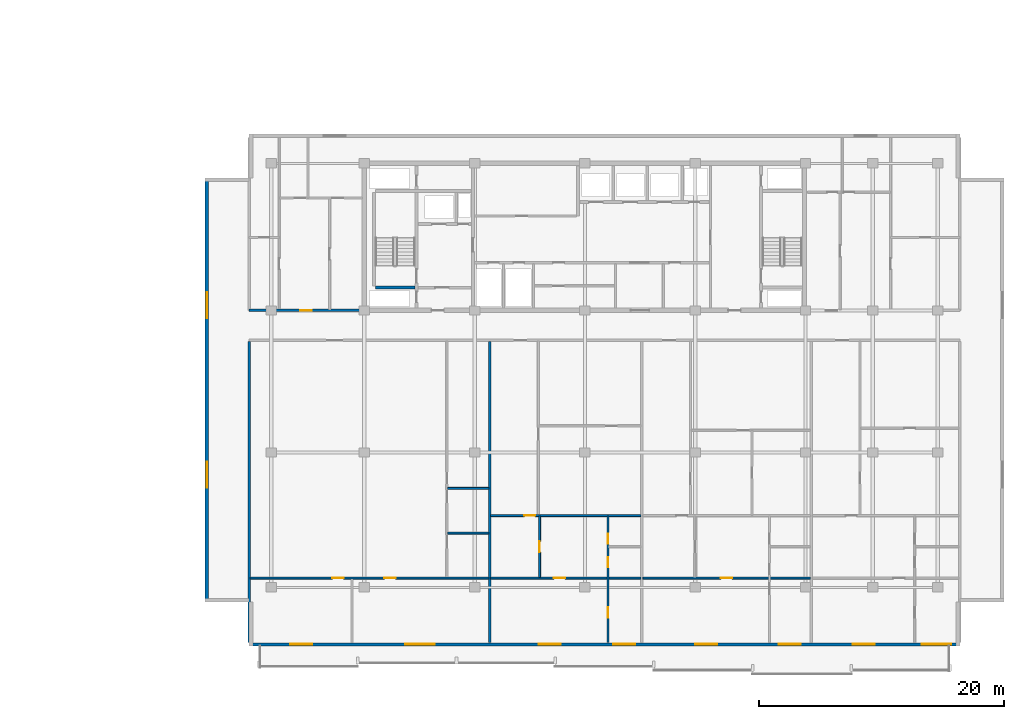
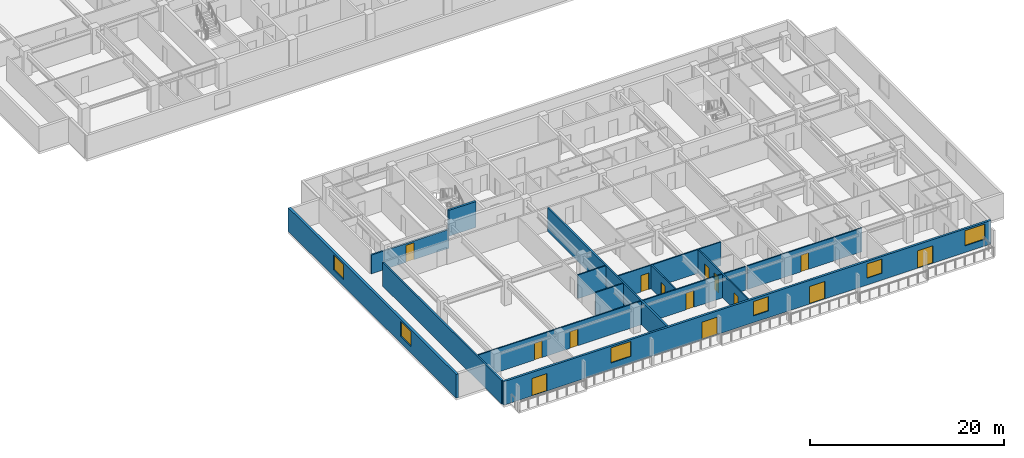
# One storey, part 4 of 22: 14 doors, 14 walls, 6 windows, 20 openings.
"""IFC4 building model written with IfcOpenShell, lengths in metres."""

from ifc_helpers import new_model, si_unit, direction, frame, frame_2d, origin, place, context, subcontext, project, spatial, rectangle, extrude, material, layer, layer_set, type_object, element, fill, save


model = new_model("IFC4")

# Units and contexts
model_context = context("Model", 3, precision=1e-05, world=origin(), true_north=direction((0.0, 1.0)))
body_context = subcontext(model_context, "Body", "Model", "MODEL_VIEW")
ifc_project = project(units=[si_unit("LENGTHUNIT", "METRE"), si_unit("AREAUNIT", "SQUARE_METRE"), si_unit("VOLUMEUNIT", "CUBIC_METRE"), si_unit("PLANEANGLEUNIT", "RADIAN"), si_unit("MASSUNIT", "GRAM", prefix="KILO")], contexts=[model_context])

# Site, building, storey
site_placement = place(None, origin())
site = spatial("IfcSite", under=ifc_project, at=site_placement, CompositionType="ELEMENT")
building_placement = place(site_placement, origin())
building = spatial("IfcBuilding", under=site, at=building_placement, Name="Korimba Cascade Residences", CompositionType="ELEMENT")
storey_placement = place(building_placement, frame((0.0, 0.0, 110.050048828125)))
storey = spatial("IfcBuildingStorey", under=building, at=storey_placement, Name="L31", CompositionType="ELEMENT", Elevation=110.050048828125)

# Wall, openings, doors, windows
ifc_material_1 = material(Name="Precast concrete C40/50", Category="concrete")
ifc_layer_1 = layer(ifc_material_1, 0.25)
ifc_layer_set_1 = layer_set([ifc_layer_1], Name="Precast concrete C40/50")
wall_type_1 = type_object("IfcWallType", Name="EW-LOG-250", PredefinedType="STANDARD", material=ifc_layer_set_1)
wall_1_placement = place(storey_placement, frame((72.699951171875, -8.85009765625, 0.0), z_axis=(0.0, 0.0, 1.0), x_axis=(1.0, 0.0, 0.0)))
wall_1 = element("IfcWall", 1, at=wall_1_placement, inside=storey, type_object=wall_type_1, Name="L31 T2 Perimeter Stone Wall E00", PredefinedType="STANDARD", context=body_context, shape_type="SweptSolid", body=[
    extrude(rectangle(XDim=58.0, YDim=0.25, at=frame_2d((29.0, 0.0))), origin(), (0.0, 0.0, 1.0), 2.969970703125),
])
opening_1_placement = place(wall_1_placement, frame((3.3583984375, 0.0, 0.0)))
opening_1 = element("IfcOpeningElement", 2, at=opening_1_placement, cuts=wall_1, Name="Opening D-LG1", PredefinedType="OPENING", context=body_context, shape_type="SweptSolid", body=[
    extrude(rectangle(XDim=1.800048828125, YDim=2.199951171875, at=frame_2d((0.89990234375, 1.10009765625))), frame((0.0, 0.135009765625, 0.0), z_axis=(0.0, -1.0, 0.0), x_axis=(1.0, 0.0, 0.0)), (0.0, 0.0, 1.0), 0.27001953125),
])
opening_2_placement = place(wall_1_placement, frame((12.7548828125, 0.0, 0.85009765625)))
opening_2 = element("IfcOpeningElement", 3, at=opening_2_placement, cuts=wall_1, Name="Opening W-01", PredefinedType="OPENING", context=body_context, shape_type="SweptSolid", body=[
    extrude(rectangle(XDim=2.39990234375, YDim=1.89990234375, at=frame_2d((1.199951171875, 0.949951171875))), frame((0.0, 0.135009765625, 0.0), z_axis=(0.0, -1.0, 0.0), x_axis=(1.0, 0.0, 0.0)), (0.0, 0.0, 1.0), 0.27001953125),
])
opening_3_placement = place(wall_1_placement, frame((23.61669921875, 0.0, 0.0)))
opening_3 = element("IfcOpeningElement", 4, at=opening_3_placement, cuts=wall_1, Name="Opening D-LG1", PredefinedType="OPENING", context=body_context, shape_type="SweptSolid", body=[
    extrude(rectangle(XDim=1.800048828125, YDim=2.199951171875, at=frame_2d((0.89990234375, 1.10009765625))), frame((0.0, 0.135009765625, 0.0), z_axis=(0.0, -1.0, 0.0), x_axis=(1.0, 0.0, 0.0)), (0.0, 0.0, 1.0), 0.27001953125),
])
opening_4_placement = place(wall_1_placement, frame((29.705078125, 0.0, 0.85009765625)))
opening_4 = element("IfcOpeningElement", 5, at=opening_4_placement, cuts=wall_1, Name="Opening W-02", PredefinedType="OPENING", context=body_context, shape_type="SweptSolid", body=[
    extrude(rectangle(XDim=1.800048828125, YDim=1.800048828125, at=frame_2d((0.89990234375, 0.89990234375))), frame((0.0, 0.135009765625, 0.0), z_axis=(0.0, -1.0, 0.0), x_axis=(1.0, 0.0, 0.0)), (0.0, 0.0, 1.0), 0.27001953125),
])
opening_5_placement = place(wall_1_placement, frame((36.41650390625, 0.0, 0.0)))
opening_5 = element("IfcOpeningElement", 6, at=opening_5_placement, cuts=wall_1, Name="Opening D-LG1", PredefinedType="OPENING", context=body_context, shape_type="SweptSolid", body=[
    extrude(rectangle(XDim=1.800048828125, YDim=2.199951171875, at=frame_2d((0.89990234375, 1.10009765625))), frame((0.0, 0.135009765625, 0.0), z_axis=(0.0, -1.0, 0.0), x_axis=(1.0, 0.0, 0.0)), (0.0, 0.0, 1.0), 0.27001953125),
])
opening_6_placement = place(wall_1_placement, frame((43.21337890625, 0.0, 0.85009765625)))
opening_6 = element("IfcOpeningElement", 7, at=opening_6_placement, cuts=wall_1, Name="Opening W-02", PredefinedType="OPENING", context=body_context, shape_type="SweptSolid", body=[
    extrude(rectangle(XDim=1.800048828125, YDim=1.800048828125, at=frame_2d((0.89990234375, 0.89990234375))), frame((0.0, 0.135009765625, 0.0), z_axis=(0.0, -1.0, 0.0), x_axis=(1.0, 0.0, 0.0)), (0.0, 0.0, 1.0), 0.27001953125),
])
opening_7_placement = place(wall_1_placement, frame((49.26171875, 0.0, 0.0)))
opening_7 = element("IfcOpeningElement", 8, at=opening_7_placement, cuts=wall_1, Name="Opening D-LG1", PredefinedType="OPENING", context=body_context, shape_type="SweptSolid", body=[
    extrude(rectangle(XDim=1.800048828125, YDim=2.199951171875, at=frame_2d((0.89990234375, 1.10009765625))), frame((0.0, 0.135009765625, 0.0), z_axis=(0.0, -1.0, 0.0), x_axis=(1.0, 0.0, 0.0)), (0.0, 0.0, 1.0), 0.27001953125),
])
opening_8_placement = place(wall_1_placement, frame((54.89990234375, 0.0, 0.85009765625)))
opening_8 = element("IfcOpeningElement", 9, at=opening_8_placement, cuts=wall_1, Name="Opening W-01", PredefinedType="OPENING", context=body_context, shape_type="SweptSolid", body=[
    extrude(rectangle(XDim=2.39990234375, YDim=1.89990234375, at=frame_2d((1.199951171875, 0.949951171875))), frame((0.0, 0.135009765625, 0.0), z_axis=(0.0, -1.0, 0.0), x_axis=(1.0, 0.0, 0.0)), (0.0, 0.0, 1.0), 0.27001953125),
])
ifc_material_2 = material(Name="Glazed Aluminium Loggia Sliding Door", Category="aluminium")
door_type_1 = type_object("IfcDoorType", Name="DR-EXT-LOG", OperationType="NOTDEFINED", PredefinedType="DOOR", material=ifc_material_2)
door_1_placement = place(opening_1_placement, origin())
door_1 = element("IfcDoor", 10, at=door_1_placement, inside=storey, type_object=door_type_1, Name="L31 T2 Loggia Sliding Door 3", OperationType="SLIDING_TO_RIGHT", OverallHeight=2.199951171875, OverallWidth=1.800048828125, PredefinedType="DOOR", context=body_context, shape_type="SweptSolid", body=[
    extrude(rectangle(XDim=1.800048828125, YDim=2.199951171875, at=frame_2d((0.89990234375, 1.10009765625))), frame((0.0, 0.02490234375, 0.0), z_axis=(0.0, -1.0, 0.0), x_axis=(1.0, 0.0, 0.0)), (0.0, 0.0, 1.0), 0.050048828125),
])
fill(opening_1, door_1)
door_2_placement = place(opening_3_placement, origin())
door_2 = element("IfcDoor", 11, at=door_2_placement, inside=storey, type_object=door_type_1, Name="L31 T2 Loggia Sliding Door 5", OperationType="SLIDING_TO_RIGHT", OverallHeight=2.199951171875, OverallWidth=1.800048828125, PredefinedType="DOOR", context=body_context, shape_type="SweptSolid", body=[
    extrude(rectangle(XDim=1.800048828125, YDim=2.199951171875, at=frame_2d((0.89990234375, 1.10009765625))), frame((0.0, 0.02490234375, 0.0), z_axis=(0.0, -1.0, 0.0), x_axis=(1.0, 0.0, 0.0)), (0.0, 0.0, 1.0), 0.050048828125),
])
fill(opening_3, door_2)
door_3_placement = place(opening_5_placement, origin())
door_3 = element("IfcDoor", 12, at=door_3_placement, inside=storey, type_object=door_type_1, Name="L31 T2 Loggia Sliding Door 7", OperationType="SLIDING_TO_RIGHT", OverallHeight=2.199951171875, OverallWidth=1.800048828125, PredefinedType="DOOR", context=body_context, shape_type="SweptSolid", body=[
    extrude(rectangle(XDim=1.800048828125, YDim=2.199951171875, at=frame_2d((0.89990234375, 1.10009765625))), frame((0.0, 0.02490234375, 0.0), z_axis=(0.0, -1.0, 0.0), x_axis=(1.0, 0.0, 0.0)), (0.0, 0.0, 1.0), 0.050048828125),
])
fill(opening_5, door_3)
door_4_placement = place(opening_7_placement, origin())
door_4 = element("IfcDoor", 13, at=door_4_placement, inside=storey, type_object=door_type_1, Name="L31 T2 Loggia Sliding Door 9", OperationType="SLIDING_TO_RIGHT", OverallHeight=2.199951171875, OverallWidth=1.800048828125, PredefinedType="DOOR", context=body_context, shape_type="SweptSolid", body=[
    extrude(rectangle(XDim=1.800048828125, YDim=2.199951171875, at=frame_2d((0.89990234375, 1.10009765625))), frame((0.0, 0.02490234375, 0.0), z_axis=(0.0, -1.0, 0.0), x_axis=(1.0, 0.0, 0.0)), (0.0, 0.0, 1.0), 0.050048828125),
])
fill(opening_7, door_4)
ifc_material_3 = material(Name="Double-Glazed Aluminium Window", Category="aluminium")
window_type_1 = type_object("IfcWindowType", Name="WIN-BED-1800", PartitioningType="SINGLE_PANEL", PredefinedType="WINDOW", material=ifc_material_3)
window_1_placement = place(opening_4_placement, origin())
window_1 = element("IfcWindow", 14, at=window_1_placement, inside=storey, type_object=window_type_1, Name="L31 T2 South Facade Window 6", OverallHeight=1.800048828125, OverallWidth=1.800048828125, PartitioningType="SINGLE_PANEL", PredefinedType="WINDOW", context=body_context, shape_type="SweptSolid", body=[
    extrude(rectangle(XDim=1.800048828125, YDim=1.800048828125, at=frame_2d((0.89990234375, 0.89990234375))), frame((0.0, 0.030029296875, 0.0), z_axis=(0.0, -1.0, 0.0), x_axis=(1.0, 0.0, 0.0)), (0.0, 0.0, 1.0), 0.06005859375),
])
fill(opening_4, window_1)
window_2_placement = place(opening_6_placement, origin())
window_2 = element("IfcWindow", 15, at=window_2_placement, inside=storey, type_object=window_type_1, Name="L31 T2 South Facade Window 8", OverallHeight=1.800048828125, OverallWidth=1.800048828125, PartitioningType="SINGLE_PANEL", PredefinedType="WINDOW", context=body_context, shape_type="SweptSolid", body=[
    extrude(rectangle(XDim=1.800048828125, YDim=1.800048828125, at=frame_2d((0.89990234375, 0.89990234375))), frame((0.0, 0.030029296875, 0.0), z_axis=(0.0, -1.0, 0.0), x_axis=(1.0, 0.0, 0.0)), (0.0, 0.0, 1.0), 0.06005859375),
])
fill(opening_6, window_2)
window_type_2 = type_object("IfcWindowType", Name="WIN-RES-2400", PartitioningType="DOUBLE_PANEL_VERTICAL", PredefinedType="WINDOW", material=ifc_material_3)
window_3_placement = place(opening_2_placement, origin())
window_3 = element("IfcWindow", 16, at=window_3_placement, inside=storey, type_object=window_type_2, Name="L31 T2 South Facade Window 4", OverallHeight=1.89990234375, OverallWidth=2.39990234375, PartitioningType="DOUBLE_PANEL_VERTICAL", PredefinedType="WINDOW", context=body_context, shape_type="SweptSolid", body=[
    extrude(rectangle(XDim=2.39990234375, YDim=1.89990234375, at=frame_2d((1.199951171875, 0.949951171875))), frame((0.0, 0.030029296875, 0.0), z_axis=(0.0, -1.0, 0.0), x_axis=(1.0, 0.0, 0.0)), (0.0, 0.0, 1.0), 0.06005859375),
])
fill(opening_2, window_3)
window_4_placement = place(opening_8_placement, origin())
window_4 = element("IfcWindow", 17, at=window_4_placement, inside=storey, type_object=window_type_2, Name="L31 T2 South Facade Window 10", OverallHeight=1.89990234375, OverallWidth=2.39990234375, PartitioningType="DOUBLE_PANEL_VERTICAL", PredefinedType="WINDOW", context=body_context, shape_type="SweptSolid", body=[
    extrude(rectangle(XDim=2.39990234375, YDim=1.89990234375, at=frame_2d((1.199951171875, 0.949951171875))), frame((0.0, 0.030029296875, 0.0), z_axis=(0.0, -1.0, 0.0), x_axis=(1.0, 0.0, 0.0)), (0.0, 0.0, 1.0), 0.06005859375),
])
fill(opening_8, window_4)

# Wall, openings, windows
ifc_layer_2 = layer(ifc_material_1, 0.300048828125)
ifc_layer_set_2 = layer_set([ifc_layer_2], Name="Precast concrete C40/50")
wall_type_2 = type_object("IfcWallType", Name="EW-STONE-300", PredefinedType="STANDARD", material=ifc_layer_set_2)
wall_2_placement = place(storey_placement, frame((69.25, 29.199951171875, 0.0), z_axis=(0.0, 0.0, 1.0), x_axis=(0.0, -1.0, 0.0)))
wall_2 = element("IfcWall", 18, at=wall_2_placement, inside=storey, type_object=wall_type_2, Name="L31 T2 Perimeter Stone Wall E09", PredefinedType="STANDARD", context=body_context, shape_type="SweptSolid", body=[
    extrude(rectangle(XDim=34.599853515625, YDim=0.300048828125, at=frame_2d((17.2998046875, 0.0))), origin(), (0.0, 0.0, 1.0), 2.969970703125),
])
opening_9_placement = place(wall_2_placement, frame((9.330078125, 0.0, 0.85009765625)))
opening_9 = element("IfcOpeningElement", 19, at=opening_9_placement, cuts=wall_2, Name="Opening W-03", PredefinedType="OPENING", context=body_context, shape_type="SweptSolid", body=[
    extrude(rectangle(XDim=2.10009765625, YDim=1.85009765625, at=frame_2d((1.050048828125, 0.925048828125))), frame((0.0, 0.16015625, 0.0), z_axis=(0.0, -1.0, 0.0), x_axis=(1.0, 0.0, 0.0)), (0.0, 0.0, 1.0), 0.320068359375),
])
opening_10_placement = place(wall_2_placement, frame((23.169921875, 0.0, 0.85009765625)))
opening_10 = element("IfcOpeningElement", 20, at=opening_10_placement, cuts=wall_2, Name="Opening W-03", PredefinedType="OPENING", context=body_context, shape_type="SweptSolid", body=[
    extrude(rectangle(XDim=2.10009765625, YDim=1.85009765625, at=frame_2d((1.050048828125, 0.925048828125))), frame((0.0, 0.16015625, 0.0), z_axis=(0.0, -1.0, 0.0), x_axis=(1.0, 0.0, 0.0)), (0.0, 0.0, 1.0), 0.320068359375),
])
window_type_3 = type_object("IfcWindowType", Name="WIN-CRN-2100", PartitioningType="DOUBLE_PANEL_HORIZONTAL", PredefinedType="WINDOW", material=ifc_material_3)
window_5_placement = place(opening_9_placement, origin())
window_5 = element("IfcWindow", 21, at=window_5_placement, inside=storey, type_object=window_type_3, Name="L31 T2 End View Window 9.1", OverallHeight=1.85009765625, OverallWidth=2.10009765625, PartitioningType="DOUBLE_PANEL_HORIZONTAL", PredefinedType="WINDOW", context=body_context, shape_type="SweptSolid", body=[
    extrude(rectangle(XDim=2.10009765625, YDim=1.85009765625, at=frame_2d((1.050048828125, 0.925048828125))), frame((0.0, 0.030029296875, 0.0), z_axis=(0.0, -1.0, 0.0), x_axis=(1.0, 0.0, 0.0)), (0.0, 0.0, 1.0), 0.06005859375),
])
fill(opening_9, window_5)
window_6_placement = place(opening_10_placement, origin())
window_6 = element("IfcWindow", 22, at=window_6_placement, inside=storey, type_object=window_type_3, Name="L31 T2 End View Window 9.2", OverallHeight=1.85009765625, OverallWidth=2.10009765625, PartitioningType="DOUBLE_PANEL_HORIZONTAL", PredefinedType="WINDOW", context=body_context, shape_type="SweptSolid", body=[
    extrude(rectangle(XDim=2.10009765625, YDim=1.85009765625, at=frame_2d((1.050048828125, 0.925048828125))), frame((0.0, 0.030029296875, 0.0), z_axis=(0.0, -1.0, 0.0), x_axis=(1.0, 0.0, 0.0)), (0.0, 0.0, 1.0), 0.06005859375),
])
fill(opening_10, window_6)

# Wall, opening, door
ifc_layer_3 = layer(ifc_material_1, 0.199951171875)
ifc_layer_set_3 = layer_set([ifc_layer_3], Name="Precast concrete C40/50")
wall_type_3 = type_object("IfcWallType", Name="WAL-IT-200", PredefinedType="PARTITIONING", material=ifc_layer_set_3)
wall_3_placement = place(storey_placement, frame((72.699951171875, 18.39990234375, 0.0), z_axis=(0.0, 0.0, 1.0), x_axis=(1.0, 0.0, 0.0)))
wall_3 = element("IfcWall", 23, at=wall_3_placement, inside=storey, type_object=wall_type_3, Name="L31 Partition Wall WAL-L31-T2-FW-S", PredefinedType="PARTITIONING", context=body_context, shape_type="SweptSolid", body=[
    extrude(rectangle(XDim=9.25, YDim=0.199951171875, at=frame_2d((4.625, 0.0))), origin(), (0.0, 0.0, 1.0), 2.357666015625),
])
opening_11_placement = place(wall_3_placement, frame((4.14990234375, 0.0, 0.0)))
opening_11 = element("IfcOpeningElement", 24, at=opening_11_placement, cuts=wall_3, Name="Opening D-UN1", PredefinedType="OPENING", context=body_context, shape_type="SweptSolid", body=[
    extrude(rectangle(XDim=0.949951171875, YDim=2.14990234375, at=frame_2d((0.47509765625, 1.074951171875))), frame((0.0, 0.10986328125, 0.0), z_axis=(0.0, -1.0, 0.0), x_axis=(1.0, 0.0, 0.0)), (0.0, 0.0, 1.0), 0.219970703125),
])
ifc_material_4 = material(Name="Fire-Rated Hardwood Apartment Entrance Door", Category="wood")
door_type_2 = type_object("IfcDoorType", Name="DR-FD60-950", OperationType="NOTDEFINED", PredefinedType="DOOR", material=ifc_material_4)
door_5_placement = place(opening_11_placement, origin())
door_5 = element("IfcDoor", 25, at=door_5_placement, inside=storey, type_object=door_type_2, Name="L31-T2-FW Entrance Door", OperationType="SINGLE_SWING_RIGHT", OverallHeight=2.14990234375, OverallWidth=0.949951171875, PredefinedType="DOOR", context=body_context, shape_type="SweptSolid", body=[
    extrude(rectangle(XDim=0.949951171875, YDim=2.14990234375, at=frame_2d((0.47509765625, 1.074951171875))), frame((0.0, 0.02490234375, 0.0), z_axis=(0.0, -1.0, 0.0), x_axis=(1.0, 0.0, 0.0)), (0.0, 0.0, 1.0), 0.050048828125),
])
fill(opening_11, door_5)

# Walls
for number, where, z_axis, x_axis, name in (
    (26, (72.699951171875, -8.699951171875, 0.0), (0.0, 0.0, 1.0), (0.0, 1.0, 0.0), "L31 Partition Wall WAL-L31-T2-BNDWL"),
    (27, (92.333251953125, -8.699951171875, 0.0), (0.0, 0.0, 1.0), (0.0, 1.0, 0.0), "L31 Partition Wall WAL-L31-T2-DEM-1"),
):
    element("IfcWall", number, at=place(storey_placement, frame(where, z_axis=z_axis, x_axis=x_axis)), inside=storey, type_object=wall_type_3, Name=name, PredefinedType="PARTITIONING", context=body_context, shape_type="SweptSolid", body=[
        extrude(rectangle(XDim=24.570068359375, YDim=0.199951171875, at=frame_2d((12.28515625, 0.0))), origin(), (0.0, 0.0, 1.0), 2.969970703125),
    ])
ifc_material_5 = material(Name="Insulated Acoustic Stud Partition", Category="gypsum")
ifc_layer_4 = layer(ifc_material_5, 0.14990234375)
ifc_layer_set_4 = layer_set([ifc_layer_4], Name="Insulated Acoustic Stud Partition")
wall_type_4 = type_object("IfcWallType", Name="WAL-PART-150", PredefinedType="PARTITIONING", material=ifc_layer_set_4)
for number, where, z_axis, x_axis, name in (
    (28, (88.893310546875, 0.219970703125, 0.0), (0.0, 0.0, 1.0), (1.0, 0.0, 0.0), "L31 Partition Wall WAL-L31-T2-U01-WCH"),
    (29, (88.893310546875, 3.8701171875, 0.0), (0.0, 0.0, 1.0), (1.0, 0.0, 0.0), "L31 Partition Wall WAL-L31-T2-U01-WCH2"),
):
    element("IfcWall", number, at=place(storey_placement, frame(where, z_axis=z_axis, x_axis=x_axis)), inside=storey, type_object=wall_type_4, Name=name, PredefinedType="PARTITIONING", context=body_context, shape_type="SweptSolid", body=[
        extrude(rectangle(XDim=3.360107421875, YDim=0.14990234375, at=frame_2d((1.68017578125, 0.0))), origin(), (0.0, 0.0, 1.0), 2.969970703125),
    ])

# Wall, openings, doors
wall_4_placement = place(storey_placement, frame((72.780029296875, -3.449951171875, 0.0), z_axis=(0.0, 0.0, 1.0), x_axis=(1.0, 0.0, 0.0)))
wall_4 = element("IfcWall", 30, at=wall_4_placement, inside=storey, type_object=wall_type_4, Name="L31 Partition Wall WAL-L31-T2-U01-HZ", PredefinedType="PARTITIONING", context=body_context, shape_type="SweptSolid", body=[
    extrude(rectangle(XDim=19.473388671875, YDim=0.14990234375, at=frame_2d((9.73681640625, 0.0))), origin(), (0.0, 0.0, 1.0), 2.969970703125),
])
opening_12_placement = place(wall_4_placement, frame((6.714111328125, 0.0, 0.0)))
opening_12 = element("IfcOpeningElement", 31, at=opening_12_placement, cuts=wall_4, Name="Opening D-IN0", PredefinedType="OPENING", context=body_context, shape_type="SweptSolid", body=[
    extrude(rectangle(XDim=0.93994140625, YDim=2.10009765625, at=frame_2d((0.469970703125, 1.050048828125))), frame((0.0, 0.0849609375, 0.0), z_axis=(0.0, -1.0, 0.0), x_axis=(1.0, 0.0, 0.0)), (0.0, 0.0, 1.0), 0.169921875),
])
opening_13_placement = place(wall_4_placement, frame((10.959228515625, 0.0, 0.0)))
opening_13 = element("IfcOpeningElement", 32, at=opening_13_placement, cuts=wall_4, Name="Opening D-IN0", PredefinedType="OPENING", context=body_context, shape_type="SweptSolid", body=[
    extrude(rectangle(XDim=0.93994140625, YDim=2.10009765625, at=frame_2d((0.469970703125, 1.050048828125))), frame((0.0, 0.0849609375, 0.0), z_axis=(0.0, -1.0, 0.0), x_axis=(1.0, 0.0, 0.0)), (0.0, 0.0, 1.0), 0.169921875),
])
ifc_material_6 = material(Name="Acoustic Timber Living Archway Door", Category="wood")
door_type_3 = type_object("IfcDoorType", Name="DR-INT-950", OperationType="NOTDEFINED", PredefinedType="DOOR", material=ifc_material_6)
door_6_placement = place(opening_12_placement, origin())
door_6 = element("IfcDoor", 33, at=door_6_placement, inside=storey, type_object=door_type_3, Name="L31-T2-U01 Fitness Pilates Gym Door", OperationType="SINGLE_SWING_RIGHT", OverallHeight=2.10009765625, OverallWidth=0.93994140625, PredefinedType="DOOR", context=body_context, shape_type="SweptSolid", body=[
    extrude(rectangle(XDim=0.93994140625, YDim=2.10009765625, at=frame_2d((0.469970703125, 1.050048828125))), frame((0.0, 0.02490234375, 0.0), z_axis=(0.0, -1.0, 0.0), x_axis=(1.0, 0.0, 0.0)), (0.0, 0.0, 1.0), 0.050048828125),
])
fill(opening_12, door_6)
door_7_placement = place(opening_13_placement, origin())
door_7 = element("IfcDoor", 34, at=door_7_placement, inside=storey, type_object=door_type_3, Name="L31-T2-U01 Private Screening Cinema Door", OperationType="SINGLE_SWING_LEFT", OverallHeight=2.10009765625, OverallWidth=0.93994140625, PredefinedType="DOOR", context=body_context, shape_type="SweptSolid", body=[
    extrude(rectangle(XDim=0.93994140625, YDim=2.10009765625, at=frame_2d((0.469970703125, 1.050048828125))), frame((0.0, 0.02490234375, 0.0), z_axis=(0.0, -1.0, 0.0), x_axis=(1.0, 0.0, 0.0)), (0.0, 0.0, 1.0), 0.050048828125),
])
fill(opening_13, door_7)

# Wall, opening, door
wall_5_placement = place(storey_placement, frame((96.4033203125, -3.389892578125, 0.0), z_axis=(0.0, 0.0, 1.0), x_axis=(0.0, 1.0, 0.0)))
wall_5 = element("IfcWall", 35, at=wall_5_placement, inside=storey, type_object=wall_type_4, Name="L31 Partition Wall WAL-L31-T2-U02-VDIN", PredefinedType="PARTITIONING", context=body_context, shape_type="SweptSolid", body=[
    extrude(rectangle(XDim=5.0, YDim=0.14990234375, at=frame_2d((2.5, 0.0))), origin(), (0.0, 0.0, 1.0), 2.969970703125),
])
opening_14_placement = place(wall_5_placement, frame((2.06005859375, 0.0, 0.0)))
opening_14 = element("IfcOpeningElement", 36, at=opening_14_placement, cuts=wall_5, Name="Opening D-IN2", PredefinedType="OPENING", context=body_context, shape_type="SweptSolid", body=[
    extrude(rectangle(XDim=0.8798828125, YDim=2.06005859375, at=frame_2d((0.43994140625, 1.030029296875))), frame((0.0, 0.0849609375, 0.0), z_axis=(0.0, -1.0, 0.0), x_axis=(1.0, 0.0, 0.0)), (0.0, 0.0, 1.0), 0.169921875),
])
ifc_material_7 = material(Name="Acoustic Timber Bedroom Door", Category="wood")
door_type_4 = type_object("IfcDoorType", Name="DR-INT-880", OperationType="NOTDEFINED", PredefinedType="DOOR", material=ifc_material_7)
door_8_placement = place(opening_14_placement, origin())
door_8 = element("IfcDoor", 37, at=door_8_placement, inside=storey, type_object=door_type_4, Name="L31-T2-U02 Dining Room Door", OperationType="SINGLE_SWING_RIGHT", OverallHeight=2.06005859375, OverallWidth=0.8798828125, PredefinedType="DOOR", context=body_context, shape_type="SweptSolid", body=[
    extrude(rectangle(XDim=0.8798828125, YDim=2.06005859375, at=frame_2d((0.43994140625, 1.030029296875))), frame((0.0, 0.02490234375, 0.0), z_axis=(0.0, -1.0, 0.0), x_axis=(1.0, 0.0, 0.0)), (0.0, 0.0, 1.0), 0.050048828125),
])
fill(opening_14, door_8)

# Wall, openings, doors
wall_6_placement = place(storey_placement, frame((101.97998046875, -8.699951171875, 0.0), z_axis=(0.0, 0.0, 1.0), x_axis=(0.0, 1.0, 0.0)))
wall_6 = element("IfcWall", 38, at=wall_6_placement, inside=storey, type_object=wall_type_4, Name="L31 Partition Wall WAL-L31-T2-U02-V1", PredefinedType="PARTITIONING", context=body_context, shape_type="SweptSolid", body=[
    extrude(rectangle(XDim=10.31005859375, YDim=0.14990234375, at=frame_2d((5.155029296875, 0.0))), origin(), (0.0, 0.0, 1.0), 2.969970703125),
])
opening_15_placement = place(wall_6_placement, frame((6.120361328125, 0.0, 0.0)))
opening_15 = element("IfcOpeningElement", 39, at=opening_15_placement, cuts=wall_6, Name="Opening D-BT1", PredefinedType="OPENING", context=body_context, shape_type="SweptSolid", body=[
    extrude(rectangle(XDim=0.840087890625, YDim=2.0400390625, at=frame_2d((0.419921875, 1.02001953125))), frame((0.0, 0.0849609375, 0.0), z_axis=(0.0, -1.0, 0.0), x_axis=(1.0, 0.0, 0.0)), (0.0, 0.0, 1.0), 0.169921875),
])
opening_16_placement = place(wall_6_placement, frame((8.03955078125, 0.0, 0.0)))
opening_16 = element("IfcOpeningElement", 40, at=opening_16_placement, cuts=wall_6, Name="Opening D-BT1", PredefinedType="OPENING", context=body_context, shape_type="SweptSolid", body=[
    extrude(rectangle(XDim=0.840087890625, YDim=2.0400390625, at=frame_2d((0.419921875, 1.02001953125))), frame((0.0, 0.0849609375, 0.0), z_axis=(0.0, -1.0, 0.0), x_axis=(1.0, 0.0, 0.0)), (0.0, 0.0, 1.0), 0.169921875),
])
opening_17_placement = place(wall_6_placement, frame((2.001220703125, 0.0, 0.0)))
opening_17 = element("IfcOpeningElement", 41, at=opening_17_placement, cuts=wall_6, Name="Opening D-IN2", PredefinedType="OPENING", context=body_context, shape_type="SweptSolid", body=[
    extrude(rectangle(XDim=0.8798828125, YDim=2.06005859375, at=frame_2d((0.43994140625, 1.030029296875))), frame((0.0, 0.0849609375, 0.0), z_axis=(0.0, -1.0, 0.0), x_axis=(1.0, 0.0, 0.0)), (0.0, 0.0, 1.0), 0.169921875),
])
ifc_material_8 = material(Name="Moisture-Resistant Bathroom Timber Door", Category="wood")
door_type_5 = type_object("IfcDoorType", Name="DR-INT-850", OperationType="NOTDEFINED", PredefinedType="DOOR", material=ifc_material_8)
door_9_placement = place(opening_15_placement, origin())
door_9 = element("IfcDoor", 42, at=door_9_placement, inside=storey, type_object=door_type_5, Name="L31-T2-U02 Bathroom Door", OperationType="SINGLE_SWING_LEFT", OverallHeight=2.0400390625, OverallWidth=0.840087890625, PredefinedType="DOOR", context=body_context, shape_type="SweptSolid", body=[
    extrude(rectangle(XDim=0.840087890625, YDim=2.0400390625, at=frame_2d((0.419921875, 1.02001953125))), frame((0.0, 0.02490234375, 0.0), z_axis=(0.0, -1.0, 0.0), x_axis=(1.0, 0.0, 0.0)), (0.0, 0.0, 1.0), 0.050048828125),
])
fill(opening_15, door_9)
door_10_placement = place(opening_16_placement, origin())
door_10 = element("IfcDoor", 43, at=door_10_placement, inside=storey, type_object=door_type_5, Name="L31-T2-U02 Laundry Door", OperationType="SINGLE_SWING_RIGHT", OverallHeight=2.0400390625, OverallWidth=0.840087890625, PredefinedType="DOOR", context=body_context, shape_type="SweptSolid", body=[
    extrude(rectangle(XDim=0.840087890625, YDim=2.0400390625, at=frame_2d((0.419921875, 1.02001953125))), frame((0.0, 0.02490234375, 0.0), z_axis=(0.0, -1.0, 0.0), x_axis=(1.0, 0.0, 0.0)), (0.0, 0.0, 1.0), 0.050048828125),
])
fill(opening_16, door_10)
door_11_placement = place(opening_17_placement, origin())
door_11 = element("IfcDoor", 44, at=door_11_placement, inside=storey, type_object=door_type_4, Name="L31-T2-U02 Bedroom 1 Door", OperationType="SINGLE_SWING_LEFT", OverallHeight=2.06005859375, OverallWidth=0.8798828125, PredefinedType="DOOR", context=body_context, shape_type="SweptSolid", body=[
    extrude(rectangle(XDim=0.8798828125, YDim=2.06005859375, at=frame_2d((0.43994140625, 1.030029296875))), frame((0.0, 0.02490234375, 0.0), z_axis=(0.0, -1.0, 0.0), x_axis=(1.0, 0.0, 0.0)), (0.0, 0.0, 1.0), 0.050048828125),
])
fill(opening_17, door_11)

# Wall, opening, door
wall_7_placement = place(storey_placement, frame((92.413330078125, 1.64990234375, 0.0), z_axis=(0.0, 0.0, 1.0), x_axis=(1.0, 0.0, 0.0)))
wall_7 = element("IfcWall", 45, at=wall_7_placement, inside=storey, type_object=wall_type_4, Name="L31 Partition Wall WAL-L31-T2-U02-MW", PredefinedType="PARTITIONING", context=body_context, shape_type="SweptSolid", body=[
    extrude(rectangle(XDim=12.256591796875, YDim=0.14990234375, at=frame_2d((6.12841796875, 0.0))), origin(), (0.0, 0.0, 1.0), 2.969970703125),
])
opening_18_placement = place(wall_7_placement, frame((2.719970703125, 0.0, 0.0)))
opening_18 = element("IfcOpeningElement", 46, at=opening_18_placement, cuts=wall_7, Name="Opening D-IN1", PredefinedType="OPENING", context=body_context, shape_type="SweptSolid", body=[
    extrude(rectangle(XDim=0.919921875, YDim=2.080078125, at=frame_2d((0.4599609375, 1.0400390625))), frame((0.0, 0.0849609375, 0.0), z_axis=(0.0, -1.0, 0.0), x_axis=(1.0, 0.0, 0.0)), (0.0, 0.0, 1.0), 0.169921875),
])
ifc_material_9 = material(Name="Acoustic Timber Living Door", Category="wood")
door_type_6 = type_object("IfcDoorType", Name="DR-INT-920", OperationType="NOTDEFINED", PredefinedType="DOOR", material=ifc_material_9)
door_12_placement = place(opening_18_placement, origin())
door_12 = element("IfcDoor", 47, at=door_12_placement, inside=storey, type_object=door_type_6, Name="L31-T2-U02 Kitchen Archway Door", OperationType="SINGLE_SWING_RIGHT", OverallHeight=2.080078125, OverallWidth=0.919921875, PredefinedType="DOOR", context=body_context, shape_type="SweptSolid", body=[
    extrude(rectangle(XDim=0.919921875, YDim=2.080078125, at=frame_2d((0.4599609375, 1.0400390625))), frame((0.0, 0.02490234375, 0.0), z_axis=(0.0, -1.0, 0.0), x_axis=(1.0, 0.0, 0.0)), (0.0, 0.0, 1.0), 0.050048828125),
])
fill(opening_18, door_12)

wall_8_placement = place(storey_placement, frame((92.413330078125, -3.449951171875, 0.0), z_axis=(0.0, 0.0, 1.0), x_axis=(1.0, 0.0, 0.0)))
wall_8 = element("IfcWall", 48, at=wall_8_placement, inside=storey, type_object=wall_type_4, Name="L31 Partition Wall WAL-L31-T2-U02-HZ", PredefinedType="PARTITIONING", context=body_context, shape_type="SweptSolid", body=[
    extrude(rectangle(XDim=12.256591796875, YDim=0.14990234375, at=frame_2d((6.12841796875, 0.0))), origin(), (0.0, 0.0, 1.0), 2.969970703125),
])
opening_19_placement = place(wall_8_placement, frame((5.1259765625, 0.0, 0.0)))
opening_19 = element("IfcOpeningElement", 49, at=opening_19_placement, cuts=wall_8, Name="Opening D-IN0", PredefinedType="OPENING", context=body_context, shape_type="SweptSolid", body=[
    extrude(rectangle(XDim=0.93994140625, YDim=2.10009765625, at=frame_2d((0.469970703125, 1.050048828125))), frame((0.0, 0.0849609375, 0.0), z_axis=(0.0, -1.0, 0.0), x_axis=(1.0, 0.0, 0.0)), (0.0, 0.0, 1.0), 0.169921875),
])
door_13_placement = place(opening_19_placement, origin())
door_13 = element("IfcDoor", 50, at=door_13_placement, inside=storey, type_object=door_type_3, Name="L31-T2-U02 Living Archway Door", OperationType="SINGLE_SWING_LEFT", OverallHeight=2.10009765625, OverallWidth=0.93994140625, PredefinedType="DOOR", context=body_context, shape_type="SweptSolid", body=[
    extrude(rectangle(XDim=0.93994140625, YDim=2.10009765625, at=frame_2d((0.469970703125, 1.050048828125))), frame((0.0, 0.02490234375, 0.0), z_axis=(0.0, -1.0, 0.0), x_axis=(1.0, 0.0, 0.0)), (0.0, 0.0, 1.0), 0.050048828125),
])
fill(opening_19, door_13)

wall_9_placement = place(storey_placement, frame((104.830078125, -3.449951171875, 0.0), z_axis=(0.0, 0.0, 1.0), x_axis=(1.0, 0.0, 0.0)))
wall_9 = element("IfcWall", 51, at=wall_9_placement, inside=storey, type_object=wall_type_4, Name="L31 Partition Wall WAL-L31-T2-U03-HZ", PredefinedType="PARTITIONING", context=body_context, shape_type="SweptSolid", body=[
    extrude(rectangle(XDim=13.67333984375, YDim=0.14990234375, at=frame_2d((6.836669921875, 0.0))), origin(), (0.0, 0.0, 1.0), 2.969970703125),
])
opening_20_placement = place(wall_9_placement, frame((6.36669921875, 0.0, 0.0)))
opening_20 = element("IfcOpeningElement", 52, at=opening_20_placement, cuts=wall_9, Name="Opening D-IN0", PredefinedType="OPENING", context=body_context, shape_type="SweptSolid", body=[
    extrude(rectangle(XDim=0.93994140625, YDim=2.10009765625, at=frame_2d((0.469970703125, 1.050048828125))), frame((0.0, 0.0849609375, 0.0), z_axis=(0.0, -1.0, 0.0), x_axis=(1.0, 0.0, 0.0)), (0.0, 0.0, 1.0), 0.169921875),
])
door_14_placement = place(opening_20_placement, origin())
door_14 = element("IfcDoor", 53, at=door_14_placement, inside=storey, type_object=door_type_3, Name="L31-T2-U03 Living Archway Door", OperationType="SINGLE_SWING_RIGHT", OverallHeight=2.10009765625, OverallWidth=0.93994140625, PredefinedType="DOOR", context=body_context, shape_type="SweptSolid", body=[
    extrude(rectangle(XDim=0.93994140625, YDim=2.10009765625, at=frame_2d((0.469970703125, 1.050048828125))), frame((0.0, 0.02490234375, 0.0), z_axis=(0.0, -1.0, 0.0), x_axis=(1.0, 0.0, 0.0)), (0.0, 0.0, 1.0), 0.050048828125),
])
fill(opening_20, door_14)

# Wall
ifc_material_10 = material(Name="Concrete C50/60", Category="concrete")
ifc_layer_5 = layer(ifc_material_10, 0.25)
ifc_layer_set_5 = layer_set([ifc_layer_5], Name="Concrete C50/60")
wall_type_5 = type_object("IfcWallType", Name="WAL-SHAFT-250", PredefinedType="SHEAR", material=ifc_layer_set_5)
wall_10_placement = place(storey_placement, frame((83.0, 20.27490234375, 0.0), z_axis=(0.0, 0.0, 1.0), x_axis=(1.0, 0.0, 0.0)))
element("IfcWall", 54, at=wall_10_placement, inside=storey, type_object=wall_type_5, Name="L31 Core Shear Wall CW-L31-T2-STE1S", PredefinedType="SHEAR", context=body_context, shape_type="SweptSolid", body=[
    extrude(rectangle(XDim=3.239990234375, YDim=0.25, at=frame_2d((1.6201171875, 0.0))), origin(), (0.0, 0.0, 1.0), 3.25),
])

save(model, "model.ifc")
